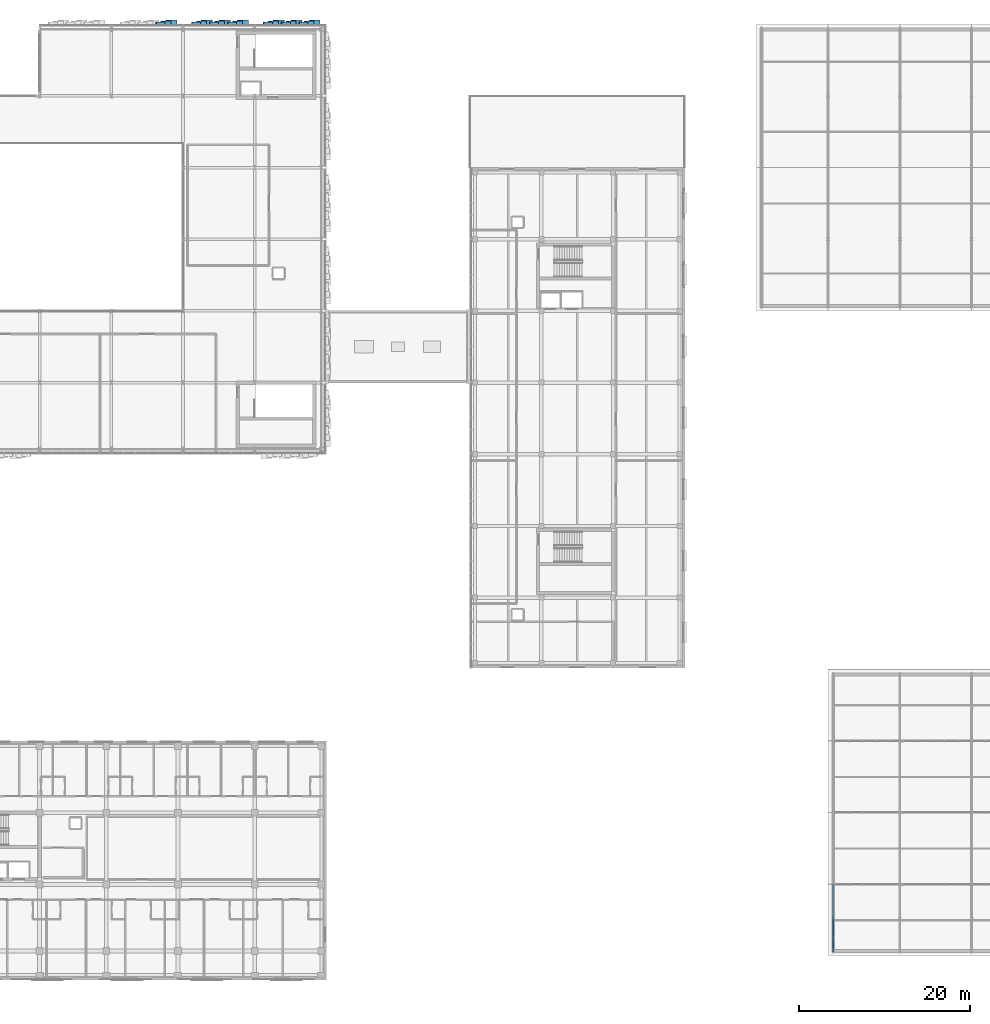
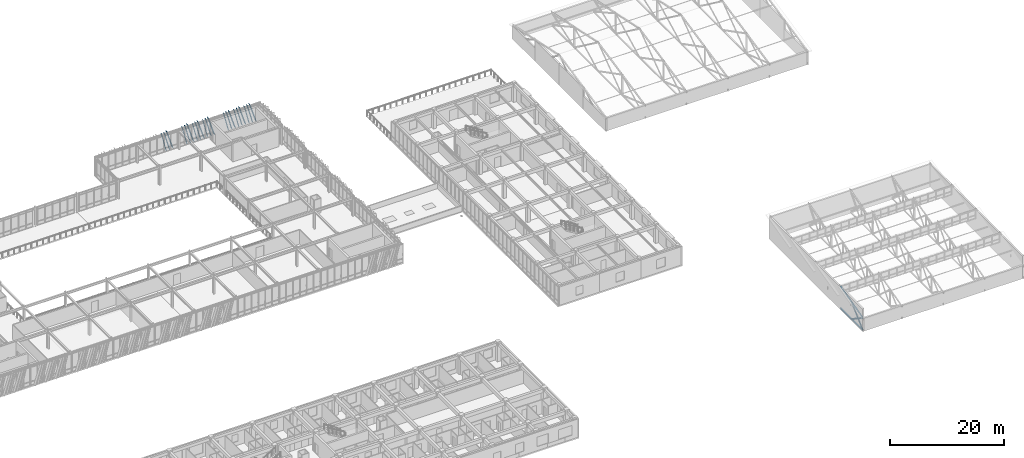
# One storey, part 65 of 123: 26 members, 3 elements without a shape of their own.
"""IFC4 building model written with IfcOpenShell, lengths in metres."""

from ifc_helpers import new_model, si_unit, direction, frame, origin, origin_2d, place, context, subcontext, project, spatial, hollow_rectangle, i_section, extrude, material, layer, layer_set, material_profile, profile_set, type_object, element, aggregate, save


model = new_model("IFC4")

# Units and contexts
model_context = context("Model", 3, precision=1e-05, world=origin(), true_north=direction((0.0, 1.0)))
body_context = subcontext(model_context, "Body", "Model", "MODEL_VIEW")
ifc_project = project(units=[si_unit("LENGTHUNIT", "METRE"), si_unit("AREAUNIT", "SQUARE_METRE"), si_unit("VOLUMEUNIT", "CUBIC_METRE"), si_unit("PLANEANGLEUNIT", "RADIAN"), si_unit("MASSUNIT", "GRAM", prefix="KILO")], contexts=[model_context])

# Site, building, storey
site_placement = place(None, origin())
site = spatial("IfcSite", under=ifc_project, at=site_placement, CompositionType="ELEMENT")
building_placement = place(site_placement, origin())
building = spatial("IfcBuilding", under=site, at=building_placement, Name="Zayran Congress Hotel", CompositionType="ELEMENT")
storey_placement = place(building_placement, frame((0.0, 0.0, 15.0)))
storey = spatial("IfcBuildingStorey", under=building, at=storey_placement, Name="L03", CompositionType="ELEMENT", Elevation=15.0)

# Members
ifc_material_1 = material(Name="Steel S355", Category="steel")
ifc_material_profile_1 = material_profile(ifc_material_1, i_section(OverallWidth=0.199951171875, OverallDepth=0.199951171875, WebThickness=0.009033203125, FlangeThickness=0.014892578125, at=origin_2d()), Name="HEB 200")
ifc_profile_set_1 = profile_set([ifc_material_profile_1], Name="Steel S355")
member_type_1 = type_object("IfcMemberType", Name="TP-TR-CH2", PredefinedType="CHORD", material=ifc_profile_set_1)
member_1_placement = place(storey_placement, frame((151.800048828125, 9.39990234375, 0.0), z_axis=(0.0, 1.0, 0.0), x_axis=(-1.0, 0.0, 0.0)))
element("IfcMember", 1, at=member_1_placement, inside=storey, type_object=member_type_1, Name="Sawtooth Truss Bottom Chord 670", PredefinedType="CHORD", context=body_context, shape_type="SweptSolid", body=[
    extrude(i_section(OverallWidth=0.199951171875, OverallDepth=0.199951171875, WebThickness=0.009033203125, FlangeThickness=0.014892578125, at=origin_2d()), origin(), (0.0, 0.0, 1.0), 7.800048828125),
])
member_2_placement = place(storey_placement, frame((151.800048828125, 9.39990234375, 2.60009765625), z_axis=(0.0, 0.96579502769, 0.259306699663), x_axis=(-1.0, 0.0, 0.0)))
element("IfcMember", 2, at=member_2_placement, inside=storey, type_object=member_type_1, Name="Sawtooth Truss Top Chord 671", PredefinedType="CHORD", context=body_context, shape_type="SweptSolid", body=[
    extrude(i_section(OverallWidth=0.199951171875, OverallDepth=0.199951171875, WebThickness=0.009033203125, FlangeThickness=0.014892578125, at=origin_2d()), origin(), (0.0, 0.0, 1.0), 8.076416015625),
])
ifc_material_profile_2 = material_profile(ifc_material_1, i_section(OverallWidth=0.14990234375, OverallDepth=0.300048828125, WebThickness=0.007080078125, FlangeThickness=0.0107421875, at=origin_2d()), Name="IPE 300")
ifc_profile_set_2 = profile_set([ifc_material_profile_2], Name="Steel S355")
member_type_2 = type_object("IfcMemberType", Name="TP-TR-BR1", PredefinedType="BRACE", material=ifc_profile_set_2)
member_3_placement = place(storey_placement, frame((151.800048828125, 9.39990234375, 0.0), z_axis=(0.0, 0.730393544503, 0.68302655157), x_axis=(-1.0, 0.0, 0.0)))
element("IfcMember", 3, at=member_3_placement, inside=storey, type_object=member_type_2, Name="Sawtooth Truss Diagonal 672", PredefinedType="BRACE", context=body_context, shape_type="SweptSolid", body=[
    extrude(i_section(OverallWidth=0.14990234375, OverallDepth=0.300048828125, WebThickness=0.007080078125, FlangeThickness=0.0107421875, at=origin_2d()), origin(), (0.0, 0.0, 1.0), 5.33984375),
])
ifc_material_profile_3 = material_profile(ifc_material_1, i_section(OverallWidth=0.1201171875, OverallDepth=0.239990234375, WebThickness=0.006103515625, FlangeThickness=0.009765625, at=origin_2d()), Name="IPE 240")
ifc_profile_set_3 = profile_set([ifc_material_profile_3], Name="Steel S355")
member_type_3 = type_object("IfcMemberType", Name="TP-TR-BR2", PredefinedType="BRACE", material=ifc_profile_set_3)
member_4_placement = place(storey_placement, frame((151.800048828125, 9.39990234375, 2.60009765625), z_axis=(0.0, 0.831992082034, -0.554787504755), x_axis=(-1.0, 0.0, 0.0)))
element("IfcMember", 4, at=member_4_placement, inside=storey, type_object=member_type_3, Name="Sawtooth Truss Counter Diagonal Upper 673", PredefinedType="BRACE", context=body_context, shape_type="SweptSolid", body=[
    extrude(i_section(OverallWidth=0.1201171875, OverallDepth=0.239990234375, WebThickness=0.006103515625, FlangeThickness=0.009765625, at=origin_2d()), origin(), (0.0, 0.0, 1.0), 1.935791015625),
])
member_5_placement = place(storey_placement, frame((151.800048828125, 11.03564453125, 1.509521484375), z_axis=(0.0, 0.832064095683, -0.55467949365), x_axis=(-1.0, 0.0, 0.0)))
element("IfcMember", 5, at=member_5_placement, inside=storey, type_object=member_type_3, Name="Sawtooth Truss Counter Diagonal Lower 113", PredefinedType="BRACE", context=body_context, shape_type="SweptSolid", body=[
    extrude(i_section(OverallWidth=0.1201171875, OverallDepth=0.239990234375, WebThickness=0.006103515625, FlangeThickness=0.009765625, at=origin_2d()), origin(), (0.0, 0.0, 1.0), 2.721435546875),
])

# Curtain wall, member
ifc_material_2 = material(Name="Anodised aluminium and low-E insulated glass", Category="aluminium")
ifc_layer_1 = layer(ifc_material_2, 0.179931640625)
ifc_layer_set_1 = layer_set([ifc_layer_1], Name="Anodised aluminium and low-E insulated glass")
curtain_wall_type_1 = type_object("IfcCurtainWallType", Name="CW-V1N-L03-CW-22-8360-3980", PredefinedType="USERDEFINED", material=ifc_layer_set_1)
curtain_wall_1_placement = place(storey_placement, origin())
curtain_wall_1 = element("IfcCurtainWall", 6, at=curtain_wall_1_placement, inside=storey, type_object=curtain_wall_type_1, Name="CW-V1N-L03-7", ObjectType="CURTAIN WALL", PredefinedType="USERDEFINED")
ifc_material_3 = material(Name="Warm bronze anodised aluminium", Category="aluminium")
ifc_material_profile_4 = material_profile(ifc_material_3, hollow_rectangle(XDim=0.080078125, YDim=0.580078125, WallThickness=0.006103515625, at=origin_2d()), Name="RHS 580x80x6")
ifc_profile_set_4 = profile_set([ifc_material_profile_4], Name="Warm bronze anodised aluminium")
member_type_4 = type_object("IfcMemberType", Name="TP-RFN-01", PredefinedType="MULLION", material=ifc_profile_set_4)
member_6_placement = place(storey_placement, frame((74.830078125, 118.199951171875, 0.0), z_axis=(-0.300705753938, 0.0, 0.953716965115), x_axis=(0.953716965115, 0.0, 0.300705753938)))
member_6 = element("IfcMember", 7, at=member_6_placement, type_object=member_type_4, Name="Slanting Reed Mullion CW-22-01", PredefinedType="MULLION", context=body_context, shape_type="SweptSolid", body=[
    extrude(hollow_rectangle(XDim=0.080078125, YDim=0.580078125, WallThickness=0.006103515625, at=origin_2d()), origin(), (0.0, 0.0, 1.0), 4.173095703125),
])

# Curtain wall, members
ifc_layer_2 = layer(ifc_material_2, 0.179931640625)
ifc_layer_set_2 = layer_set([ifc_layer_2], Name="Anodised aluminium and low-E insulated glass")
curtain_wall_type_2 = type_object("IfcCurtainWallType", Name="CW-V1N-L03-CW-23-8360-3980", PredefinedType="USERDEFINED", material=ifc_layer_set_2)
curtain_wall_2_placement = place(storey_placement, origin())
curtain_wall_2 = element("IfcCurtainWall", 8, at=curtain_wall_2_placement, inside=storey, type_object=curtain_wall_type_2, Name="CW-V1N-L03-8", ObjectType="CURTAIN WALL", PredefinedType="USERDEFINED")
member_7_placement = place(storey_placement, frame((83.22998046875, 118.199951171875, 0.0), z_axis=(-0.300705753938, 0.0, 0.953716965115), x_axis=(0.953716965115, 0.0, 0.300705753938)))
member_7 = element("IfcMember", 9, at=member_7_placement, type_object=member_type_4, Name="Slanting Reed Mullion CW-23-01", PredefinedType="MULLION", context=body_context, shape_type="SweptSolid", body=[
    extrude(hollow_rectangle(XDim=0.080078125, YDim=0.580078125, WallThickness=0.006103515625, at=origin_2d()), origin(), (0.0, 0.0, 1.0), 4.173095703125),
])
member_8_placement = place(storey_placement, frame((81.1298828125, 118.199951171875, 0.0), z_axis=(-0.300705753938, 0.0, 0.953716965115), x_axis=(0.953716965115, 0.0, 0.300705753938)))
member_8 = element("IfcMember", 10, at=member_8_placement, type_object=member_type_4, Name="Slanting Reed Mullion CW-23-04", PredefinedType="MULLION", context=body_context, shape_type="SweptSolid", body=[
    extrude(hollow_rectangle(XDim=0.080078125, YDim=0.580078125, WallThickness=0.006103515625, at=origin_2d()), origin(), (0.0, 0.0, 1.0), 4.173095703125),
])
member_9_placement = place(storey_placement, frame((79.030029296875, 118.199951171875, 0.0), z_axis=(-0.300705753938, 0.0, 0.953716965115), x_axis=(0.953716965115, 0.0, 0.300705753938)))
member_9 = element("IfcMember", 11, at=member_9_placement, type_object=member_type_4, Name="Slanting Reed Mullion CW-23-07", PredefinedType="MULLION", context=body_context, shape_type="SweptSolid", body=[
    extrude(hollow_rectangle(XDim=0.080078125, YDim=0.580078125, WallThickness=0.006103515625, at=origin_2d()), origin(), (0.0, 0.0, 1.0), 4.173095703125),
])

ifc_layer_3 = layer(ifc_material_2, 0.179931640625)
ifc_layer_set_3 = layer_set([ifc_layer_3], Name="Anodised aluminium and low-E insulated glass")
curtain_wall_type_3 = type_object("IfcCurtainWallType", Name="CW-V1N-L03-CW-21-8360-3980", PredefinedType="USERDEFINED", material=ifc_layer_set_3)
curtain_wall_3_placement = place(storey_placement, origin())
curtain_wall_3 = element("IfcCurtainWall", 12, at=curtain_wall_3_placement, inside=storey, type_object=curtain_wall_type_3, Name="CW-V1N-L03-9", ObjectType="CURTAIN WALL", PredefinedType="USERDEFINED")
member_10_placement = place(storey_placement, frame((91.6298828125, 118.199951171875, 0.0), z_axis=(-0.300705753938, 0.0, 0.953716965115), x_axis=(0.953716965115, 0.0, 0.300705753938)))
member_10 = element("IfcMember", 13, at=member_10_placement, type_object=member_type_4, Name="Slanting Reed Mullion CW-21-01", PredefinedType="MULLION", context=body_context, shape_type="SweptSolid", body=[
    extrude(hollow_rectangle(XDim=0.080078125, YDim=0.580078125, WallThickness=0.006103515625, at=origin_2d()), origin(), (0.0, 0.0, 1.0), 4.173095703125),
])
member_11_placement = place(storey_placement, frame((89.530029296875, 118.199951171875, 0.0), z_axis=(-0.300705753938, 0.0, 0.953716965115), x_axis=(0.953716965115, 0.0, 0.300705753938)))
member_11 = element("IfcMember", 14, at=member_11_placement, type_object=member_type_4, Name="Slanting Reed Mullion CW-21-04", PredefinedType="MULLION", context=body_context, shape_type="SweptSolid", body=[
    extrude(hollow_rectangle(XDim=0.080078125, YDim=0.580078125, WallThickness=0.006103515625, at=origin_2d()), origin(), (0.0, 0.0, 1.0), 4.173095703125),
])
member_12_placement = place(storey_placement, frame((87.429931640625, 118.199951171875, 0.0), z_axis=(-0.300705753938, 0.0, 0.953716965115), x_axis=(0.953716965115, 0.0, 0.300705753938)))
member_12 = element("IfcMember", 15, at=member_12_placement, type_object=member_type_4, Name="Slanting Reed Mullion CW-21-07", PredefinedType="MULLION", context=body_context, shape_type="SweptSolid", body=[
    extrude(hollow_rectangle(XDim=0.080078125, YDim=0.580078125, WallThickness=0.006103515625, at=origin_2d()), origin(), (0.0, 0.0, 1.0), 4.173095703125),
])

# Member
ifc_material_profile_5 = material_profile(ifc_material_3, hollow_rectangle(XDim=0.080078125, YDim=0.449951171875, WallThickness=0.006103515625, at=origin_2d()), Name="RHS 450x80x6")
ifc_profile_set_5 = profile_set([ifc_material_profile_5], Name="Warm bronze anodised aluminium")
member_type_5 = type_object("IfcMemberType", Name="TP-RFN-02", PredefinedType="MULLION", material=ifc_profile_set_5)
member_13_placement = place(storey_placement, frame((74.1298828125, 118.135009765625, 0.0), z_axis=(-0.267241410526, 0.0, 0.963629611677), x_axis=(0.963629611677, 0.0, 0.267241410526)))
member_13 = element("IfcMember", 16, at=member_13_placement, type_object=member_type_5, Name="Slanting Reed Mullion CW-22-02", PredefinedType="MULLION", context=body_context, shape_type="SweptSolid", body=[
    extrude(hollow_rectangle(XDim=0.080078125, YDim=0.449951171875, WallThickness=0.006103515625, at=origin_2d()), origin(), (0.0, 0.0, 1.0), 4.130126953125),
])

member_14_placement = place(storey_placement, frame((82.530029296875, 118.135009765625, 0.0), z_axis=(-0.267241410526, 0.0, 0.963629611677), x_axis=(0.963629611677, 0.0, 0.267241410526)))
member_14 = element("IfcMember", 17, at=member_14_placement, type_object=member_type_5, Name="Slanting Reed Mullion CW-23-02", PredefinedType="MULLION", context=body_context, shape_type="SweptSolid", body=[
    extrude(hollow_rectangle(XDim=0.080078125, YDim=0.449951171875, WallThickness=0.006103515625, at=origin_2d()), origin(), (0.0, 0.0, 1.0), 4.130126953125),
])

member_15_placement = place(storey_placement, frame((80.429931640625, 118.135009765625, 0.0), z_axis=(-0.267241410526, 0.0, 0.963629611677), x_axis=(0.963629611677, 0.0, 0.267241410526)))
member_15 = element("IfcMember", 18, at=member_15_placement, type_object=member_type_5, Name="Slanting Reed Mullion CW-23-05", PredefinedType="MULLION", context=body_context, shape_type="SweptSolid", body=[
    extrude(hollow_rectangle(XDim=0.080078125, YDim=0.449951171875, WallThickness=0.006103515625, at=origin_2d()), origin(), (0.0, 0.0, 1.0), 4.130126953125),
])

member_16_placement = place(storey_placement, frame((78.330078125, 118.135009765625, 0.0), z_axis=(-0.267241410526, 0.0, 0.963629611677), x_axis=(0.963629611677, 0.0, 0.267241410526)))
member_16 = element("IfcMember", 19, at=member_16_placement, type_object=member_type_5, Name="Slanting Reed Mullion CW-23-08", PredefinedType="MULLION", context=body_context, shape_type="SweptSolid", body=[
    extrude(hollow_rectangle(XDim=0.080078125, YDim=0.449951171875, WallThickness=0.006103515625, at=origin_2d()), origin(), (0.0, 0.0, 1.0), 4.130126953125),
])

member_17_placement = place(storey_placement, frame((90.929931640625, 118.135009765625, 0.0), z_axis=(-0.267241410526, 0.0, 0.963629611677), x_axis=(0.963629611677, 0.0, 0.267241410526)))
member_17 = element("IfcMember", 20, at=member_17_placement, type_object=member_type_5, Name="Slanting Reed Mullion CW-21-02", PredefinedType="MULLION", context=body_context, shape_type="SweptSolid", body=[
    extrude(hollow_rectangle(XDim=0.080078125, YDim=0.449951171875, WallThickness=0.006103515625, at=origin_2d()), origin(), (0.0, 0.0, 1.0), 4.130126953125),
])

member_18_placement = place(storey_placement, frame((88.830078125, 118.135009765625, 0.0), z_axis=(-0.267241410526, 0.0, 0.963629611677), x_axis=(0.963629611677, 0.0, 0.267241410526)))
member_18 = element("IfcMember", 21, at=member_18_placement, type_object=member_type_5, Name="Slanting Reed Mullion CW-21-05", PredefinedType="MULLION", context=body_context, shape_type="SweptSolid", body=[
    extrude(hollow_rectangle(XDim=0.080078125, YDim=0.449951171875, WallThickness=0.006103515625, at=origin_2d()), origin(), (0.0, 0.0, 1.0), 4.130126953125),
])

member_19_placement = place(storey_placement, frame((86.72998046875, 118.135009765625, 0.0), z_axis=(-0.267241410526, 0.0, 0.963629611677), x_axis=(0.963629611677, 0.0, 0.267241410526)))
member_19 = element("IfcMember", 22, at=member_19_placement, type_object=member_type_5, Name="Slanting Reed Mullion CW-21-08", PredefinedType="MULLION", context=body_context, shape_type="SweptSolid", body=[
    extrude(hollow_rectangle(XDim=0.080078125, YDim=0.449951171875, WallThickness=0.006103515625, at=origin_2d()), origin(), (0.0, 0.0, 1.0), 4.130126953125),
])

ifc_material_profile_6 = material_profile(ifc_material_3, hollow_rectangle(XDim=0.080078125, YDim=0.340087890625, WallThickness=0.006103515625, at=origin_2d()), Name="RHS 340x80x6")
ifc_profile_set_6 = profile_set([ifc_material_profile_6], Name="Warm bronze anodised aluminium")
member_type_6 = type_object("IfcMemberType", Name="TP-RFN-03", PredefinedType="MULLION", material=ifc_profile_set_6)
member_20_placement = place(storey_placement, frame((73.429931640625, 118.080078125, 0.0), z_axis=(-0.24189134958, 0.0, 0.970303341743), x_axis=(0.970303341743, 0.0, 0.24189134958)))
member_20 = element("IfcMember", 23, at=member_20_placement, type_object=member_type_6, Name="Slanting Reed Mullion CW-22-03", PredefinedType="MULLION", context=body_context, shape_type="SweptSolid", body=[
    extrude(hollow_rectangle(XDim=0.080078125, YDim=0.340087890625, WallThickness=0.006103515625, at=origin_2d()), origin(), (0.0, 0.0, 1.0), 4.101806640625),
])

aggregate(curtain_wall_1, [member_6, member_13, member_20])

member_21_placement = place(storey_placement, frame((81.830078125, 118.080078125, 0.0), z_axis=(-0.241947386249, 0.0, 0.970289370388), x_axis=(0.970289370388, 0.0, 0.241947386249)))
member_21 = element("IfcMember", 24, at=member_21_placement, type_object=member_type_6, Name="Slanting Reed Mullion CW-23-03", PredefinedType="MULLION", context=body_context, shape_type="SweptSolid", body=[
    extrude(hollow_rectangle(XDim=0.080078125, YDim=0.340087890625, WallThickness=0.006103515625, at=origin_2d()), origin(), (0.0, 0.0, 1.0), 4.101806640625),
])

member_22_placement = place(storey_placement, frame((79.72998046875, 118.080078125, 0.0), z_axis=(-0.24189134958, 0.0, 0.970303341743), x_axis=(0.970303341743, 0.0, 0.24189134958)))
member_22 = element("IfcMember", 25, at=member_22_placement, type_object=member_type_6, Name="Slanting Reed Mullion CW-23-06", PredefinedType="MULLION", context=body_context, shape_type="SweptSolid", body=[
    extrude(hollow_rectangle(XDim=0.080078125, YDim=0.340087890625, WallThickness=0.006103515625, at=origin_2d()), origin(), (0.0, 0.0, 1.0), 4.101806640625),
])

member_23_placement = place(storey_placement, frame((77.6298828125, 118.080078125, 0.0), z_axis=(-0.24189134958, 0.0, 0.970303341743), x_axis=(0.970303341743, 0.0, 0.24189134958)))
member_23 = element("IfcMember", 26, at=member_23_placement, type_object=member_type_6, Name="Slanting Reed Mullion CW-23-09", PredefinedType="MULLION", context=body_context, shape_type="SweptSolid", body=[
    extrude(hollow_rectangle(XDim=0.080078125, YDim=0.340087890625, WallThickness=0.006103515625, at=origin_2d()), origin(), (0.0, 0.0, 1.0), 4.101806640625),
])

aggregate(curtain_wall_2, [member_7, member_14, member_21, member_8, member_15, member_22, member_9, member_16, member_23])

member_24_placement = place(storey_placement, frame((90.22998046875, 118.080078125, 0.0), z_axis=(-0.24189134958, 0.0, 0.970303341743), x_axis=(0.970303341743, 0.0, 0.24189134958)))
member_24 = element("IfcMember", 27, at=member_24_placement, type_object=member_type_6, Name="Slanting Reed Mullion CW-21-03", PredefinedType="MULLION", context=body_context, shape_type="SweptSolid", body=[
    extrude(hollow_rectangle(XDim=0.080078125, YDim=0.340087890625, WallThickness=0.006103515625, at=origin_2d()), origin(), (0.0, 0.0, 1.0), 4.101806640625),
])

member_25_placement = place(storey_placement, frame((88.1298828125, 118.080078125, 0.0), z_axis=(-0.24189134958, 0.0, 0.970303341743), x_axis=(0.970303341743, 0.0, 0.24189134958)))
member_25 = element("IfcMember", 28, at=member_25_placement, type_object=member_type_6, Name="Slanting Reed Mullion CW-21-06", PredefinedType="MULLION", context=body_context, shape_type="SweptSolid", body=[
    extrude(hollow_rectangle(XDim=0.080078125, YDim=0.340087890625, WallThickness=0.006103515625, at=origin_2d()), origin(), (0.0, 0.0, 1.0), 4.101806640625),
])

member_26_placement = place(storey_placement, frame((86.030029296875, 118.080078125, 0.0), z_axis=(-0.241947386249, 0.0, 0.970289370388), x_axis=(0.970289370388, 0.0, 0.241947386249)))
member_26 = element("IfcMember", 29, at=member_26_placement, type_object=member_type_6, Name="Slanting Reed Mullion CW-21-09", PredefinedType="MULLION", context=body_context, shape_type="SweptSolid", body=[
    extrude(hollow_rectangle(XDim=0.080078125, YDim=0.340087890625, WallThickness=0.006103515625, at=origin_2d()), origin(), (0.0, 0.0, 1.0), 4.101806640625),
])

aggregate(curtain_wall_3, [member_10, member_17, member_24, member_11, member_18, member_25, member_12, member_19, member_26])

save(model, "model.ifc")
